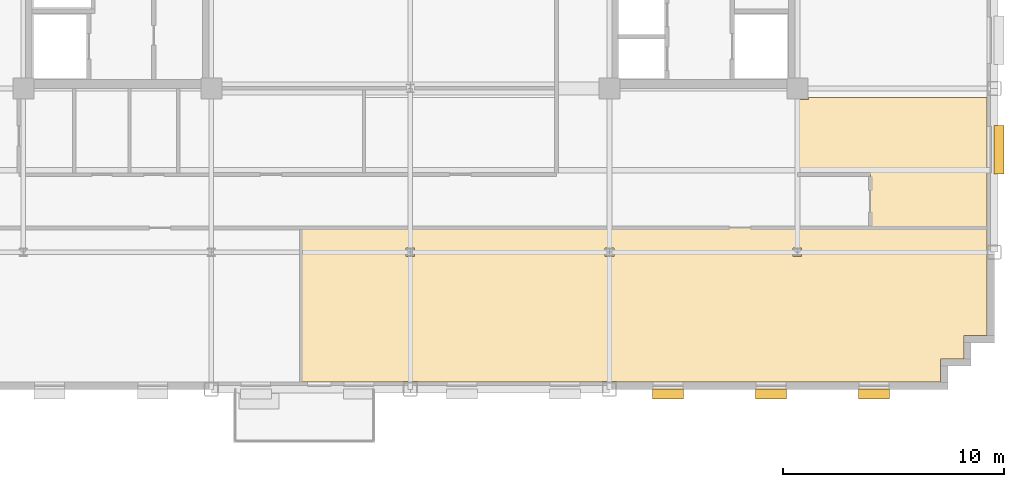
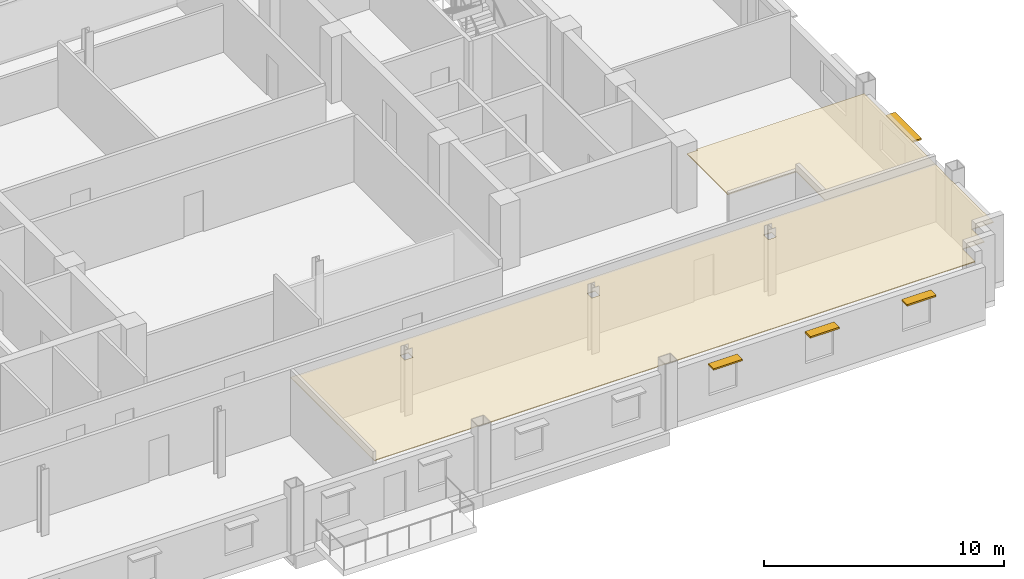
# One storey, part 12 of 14: 4 shading devices, 2 coverings.
"""IFC4 building model written with IfcOpenShell, lengths in metres."""

from ifc_helpers import new_model, si_unit, direction, frame, origin, origin_2d, place, context, subcontext, project, spatial, polyline, rectangle, outline, extrude, source, transform, mapped, material, layer, layer_set, type_object, type_shapes, element, save


model = new_model("IFC4")

# Units and contexts
model_context = context("Model", 3, precision=1e-05, world=origin(), true_north=direction((0.0, 1.0)))
body_context = subcontext(model_context, "Body", "Model", "MODEL_VIEW")
ifc_project = project(units=[si_unit("LENGTHUNIT", "METRE"), si_unit("AREAUNIT", "SQUARE_METRE"), si_unit("VOLUMEUNIT", "CUBIC_METRE"), si_unit("PLANEANGLEUNIT", "RADIAN"), si_unit("MASSUNIT", "GRAM", prefix="KILO")], contexts=[model_context])

# Site, building, storey
site_placement = place(None, origin())
site = spatial("IfcSite", under=ifc_project, at=site_placement, CompositionType="ELEMENT")
building_placement = place(site_placement, origin())
building = spatial("IfcBuilding", under=site, at=building_placement, Name="Nuvemarco Arch Tower", CompositionType="ELEMENT")
storey_placement = place(building_placement, frame((0.0, 0.0, 127.5)))
storey = spatial("IfcBuildingStorey", under=building, at=storey_placement, Name="L33", CompositionType="ELEMENT", Elevation=127.5)

# Coverings
ifc_material_1 = material(Name="Mineral acoustic ceiling tile")
ifc_layer = layer(ifc_material_1, 0.0400390625, Name="COV-ACOUSTIC-CLG")
ifc_layer_set = layer_set([ifc_layer], Name="Mineral acoustic ceiling tile")
covering_type = type_object("IfcCoveringType", Name="COV-ACOUSTIC-CLG", PredefinedType="CEILING", material=ifc_layer_set)
covering_1_placement = place(storey_placement, frame((0.0, 0.0, 2.85009765625)))
element("IfcCovering", 1, at=covering_1_placement, inside=storey, type_object=covering_type, Name="L33 suspended acoustic ceiling 1", PredefinedType="CEILING", context=body_context, shape_type="SweptSolid", body=[
    extrude(outline(polyline([(23.97998046875, -22.8798828125), (9.340087890625, -22.8798828125), (9.340087890625, -22.860107421875), (8.659912109375, -22.860107421875), (8.659912109375, -22.8798828125), (0.340087890625, -22.8798828125), (0.340087890625, -22.860107421875), (-0.340087890625, -22.860107421875), (-0.340087890625, -22.8798828125), (-4.93994140625, -22.8798828125), (-4.93994140625, -15.89990234375), (6.60009765625, -15.89990234375), (9.0, -15.89990234375), (20.800048828125, -15.89990234375), (26.080078125, -15.89990234375), (26.080078125, -16.659912109375), (26.06005859375, -16.659912109375), (26.06005859375, -17.340087890625), (26.080078125, -17.340087890625), (26.080078125, -20.780029296875), (25.030029296875, -20.780029296875), (25.030029296875, -21.830078125), (23.97998046875, -21.830078125), (23.97998046875, -22.8798828125)]), holes=[polyline([(0.195068359375, -17.195068359375), (0.195068359375, -16.804931640625), (-0.195068359375, -16.804931640625), (-0.195068359375, -17.195068359375), (0.195068359375, -17.195068359375)]), polyline([(9.195068359375, -17.195068359375), (9.195068359375, -16.804931640625), (8.804931640625, -16.804931640625), (8.804931640625, -17.195068359375), (9.195068359375, -17.195068359375)]), polyline([(17.695068359375, -17.195068359375), (17.695068359375, -16.804931640625), (17.304931640625, -16.804931640625), (17.304931640625, -17.195068359375), (17.695068359375, -17.195068359375)])]), origin(), (0.0, 0.0, 1.0), 0.039794921875),
])
covering_2_placement = place(storey_placement, frame((0.0, 0.0, 2.85009765625)))
element("IfcCovering", 2, at=covering_2_placement, inside=storey, type_object=covering_type, Name="L33 suspended acoustic ceiling 5", PredefinedType="CEILING", context=body_context, shape_type="SweptSolid", body=[
    extrude(outline(polyline([(17.5, -10.090087890625), (17.989990234375, -10.090087890625), (17.989990234375, -10.0), (26.080078125, -10.0), (26.080078125, -15.89990234375), (20.800048828125, -15.89990234375), (20.800048828125, -13.5), (17.5, -13.5), (17.5, -10.090087890625)])), origin(), (0.0, 0.0, 1.0), 0.039794921875),
])

# Shading devices
ifc_material_2 = material(Name="Anodised aluminium 6063-T6", Category="aluminium")
shading_device_type_1 = type_object("IfcShadingDeviceType", Name="SHD-BRISE-SOLEIL", PredefinedType="USERDEFINED", material=ifc_material_2)
shared_shape_1 = source(origin(), body_context, "Body", "SweptSolid", [
    extrude(rectangle(XDim=2.199951171875, YDim=0.449951171875, at=origin_2d()), origin(), (0.0, 0.0, 1.0), 0.080078125),
])
type_shapes(shading_device_type_1, [shared_shape_1])
shading_device_placement = place(storey_placement, frame((26.614990234375, -12.364990234375, 2.364990234375), z_axis=(0.0, 0.0, 1.0), x_axis=(0.0, 1.0, 0.0)))
element("IfcShadingDevice", 3, at=shading_device_placement, inside=storey, type_object=shading_device_type_1, Name="L33 horizontal brise-soleil sunshade", ObjectType="SUNSHADE", PredefinedType="USERDEFINED", context=body_context, shape_type="MappedRepresentation", body=[
    mapped(shared_shape_1, transform((0.0, 0.0, 0.0), scale=1.0)),
])
shading_device_type_2 = type_object("IfcShadingDeviceType", Name="SHD-BRISE-NARROW", PredefinedType="USERDEFINED", material=ifc_material_2)
shared_shape_2 = source(origin(), body_context, "Body", "SweptSolid", [
    extrude(rectangle(XDim=1.39990234375, YDim=0.449951171875, at=origin_2d()), origin(), (0.0, 0.0, 1.0), 0.080078125),
])
type_shapes(shading_device_type_2, [shared_shape_2])
for number, where, z_axis, x_axis, name in (
    (4, (11.64990234375, -23.4150390625, 2.364990234375), (0.0, 0.0, 1.0), (1.0, 0.0, 0.0), "L33 horizontal brise-soleil sunshade"),
    (5, (16.31005859375, -23.4150390625, 2.364990234375), (0.0, 0.0, 1.0), (1.0, 0.0, 0.0), "L33 horizontal brise-soleil sunshade"),
    (6, (20.969970703125, -23.4150390625, 2.364990234375), (0.0, 0.0, 1.0), (1.0, 0.0, 0.0), "L33 horizontal brise-soleil sunshade"),
):
    element("IfcShadingDevice", number, at=place(storey_placement, frame(where, z_axis=z_axis, x_axis=x_axis)), inside=storey, type_object=shading_device_type_2, Name=name, ObjectType="SUNSHADE", PredefinedType="USERDEFINED", context=body_context, shape_type="MappedRepresentation", body=[
        mapped(shared_shape_2, transform((0.0, 0.0, 0.0), scale=1.0)),
    ])

save(model, "model.ifc")
